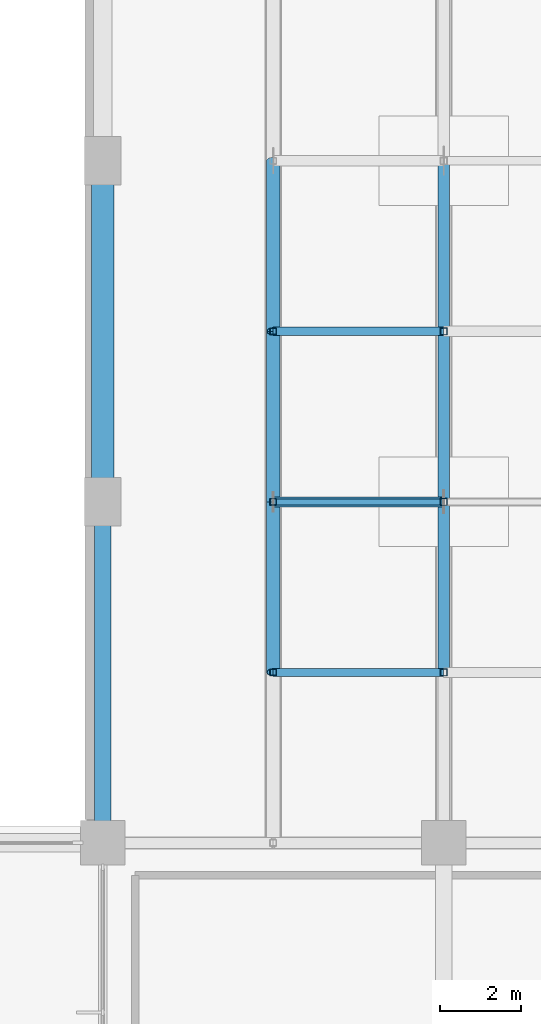
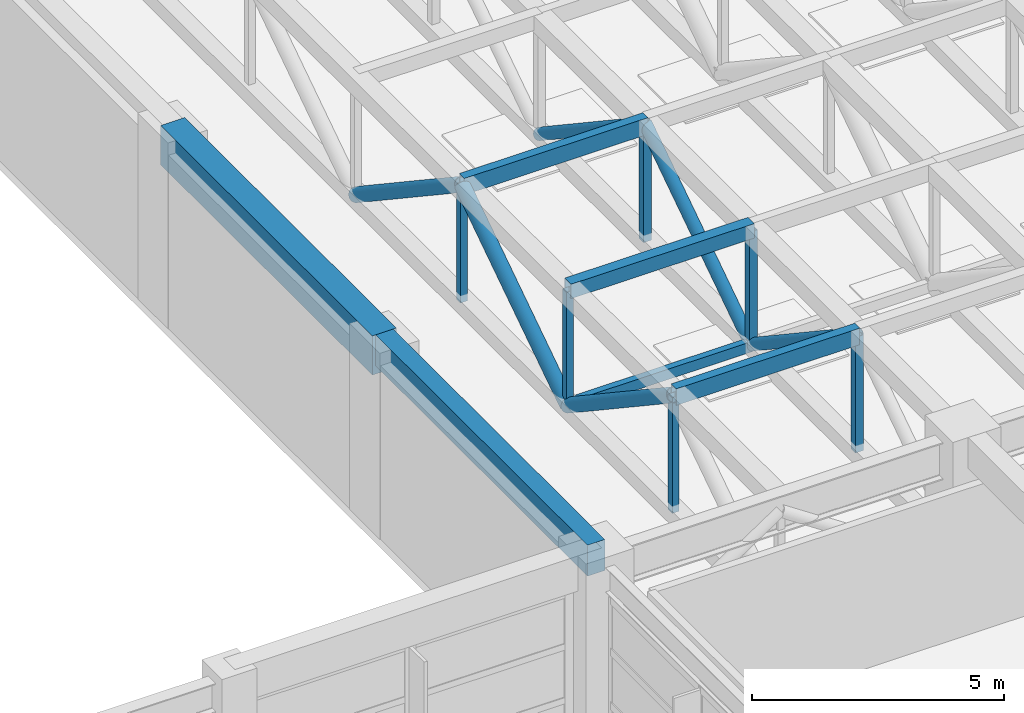
# One storey, part 11 of 47: 16 members, 2 beams.
"""IFC4 building model written with IfcOpenShell, lengths in metres."""

from ifc_helpers import new_model, si_unit, direction, frame, origin, origin_2d, place, context, subcontext, project, spatial, rectangle, hollow_rectangle, hollow_circle, extrude, material, material_profile, profile_set, type_object, element, save


model = new_model("IFC4")

# Units and contexts
model_context = context("Model", 3, precision=1e-05, world=origin(), true_north=direction((0.0, 1.0)))
body_context = subcontext(model_context, "Body", "Model", "MODEL_VIEW")
ifc_project = project(units=[si_unit("LENGTHUNIT", "METRE"), si_unit("AREAUNIT", "SQUARE_METRE"), si_unit("VOLUMEUNIT", "CUBIC_METRE"), si_unit("PLANEANGLEUNIT", "RADIAN"), si_unit("MASSUNIT", "GRAM", prefix="KILO")], contexts=[model_context])

# Site, building, storey
site_placement = place(None, origin())
site = spatial("IfcSite", under=ifc_project, at=site_placement, CompositionType="ELEMENT")
building_placement = place(site_placement, origin())
building = spatial("IfcBuilding", under=site, at=building_placement, Name="Xuanlan Plaza Opera House", CompositionType="ELEMENT")
storey_placement = place(building_placement, frame((0.0, 0.0, 23.39990234375)))
storey = spatial("IfcBuildingStorey", under=building, at=storey_placement, Name="L05", CompositionType="ELEMENT", Elevation=23.39990234375)

# Beams
ifc_material_1 = material(Name="Concrete C50", Category="concrete")
ifc_material_profile_1 = material_profile(ifc_material_1, rectangle(XDim=0.550048828125, YDim=0.949951171875, at=origin_2d()), Name="RC-BM 550x950")
ifc_profile_set_1 = profile_set([ifc_material_profile_1], Name="Concrete C50")
beam_type_1 = type_object("IfcBeamType", Name="STR-BM-B-02", PredefinedType="BEAM", material=ifc_profile_set_1)
beam_1_placement = place(storey_placement, frame((67.199951171875, 50.39990234375, 4.025146484375), z_axis=(0.0, 1.0, 0.0), x_axis=(-1.0, 0.0, 0.0)))
element("IfcBeam", 1, at=beam_1_placement, inside=storey, type_object=beam_type_1, Name="Grid Beam Y L05 9/G-H", PredefinedType="BEAM", context=body_context, shape_type="SweptSolid", body=[
    extrude(rectangle(XDim=0.550048828125, YDim=0.949951171875, at=origin_2d()), origin(), (0.0, 0.0, 1.0), 8.400146484375),
])
ifc_material_2 = material(Name="Concrete C40", Category="concrete")
ifc_material_profile_2 = material_profile(ifc_material_2, rectangle(XDim=0.39990234375, YDim=0.75, at=origin_2d()), Name="RC-BM 400x750")
ifc_profile_set_2 = profile_set([ifc_material_profile_2], Name="Concrete C40")
beam_type_2 = type_object("IfcBeamType", Name="STR-BM-B-06", PredefinedType="BEAM", material=ifc_profile_set_2)
beam_2_placement = place(storey_placement, frame((67.199951171875, 42.0, 4.125), z_axis=(0.0, 1.0, 0.0), x_axis=(-1.0, 0.0, 0.0)))
element("IfcBeam", 2, at=beam_2_placement, inside=storey, type_object=beam_type_2, Name="Grid Beam Y L05 9/F-G", PredefinedType="BEAM", context=body_context, shape_type="SweptSolid", body=[
    extrude(rectangle(XDim=0.39990234375, YDim=0.75, at=origin_2d()), origin(), (0.0, 0.0, 1.0), 8.39990234375),
])

# Members
ifc_material_3 = material(Name="Steel Q355B", Category="steel")
ifc_material_profile_3 = material_profile(ifc_material_3, hollow_circle(Radius=0.161865234375, WallThickness=0.013916015625, at=origin_2d()), Name="CHS 323.9x14")
ifc_profile_set_3 = profile_set([ifc_material_profile_3], Name="Steel Q355B")
member_type_1 = type_object("IfcMemberType", Name="STR-MEM-BR-03", PredefinedType="BRACE", material=ifc_profile_set_3)
for number, where, z_axis, x_axis, name in (
    (3, (71.39990234375, 46.199951171875, 4.05908203125), (0.0, 0.832042853317, -0.554711357594), (-1.0, 0.0, 0.0), "Auditorium Roof Truss AUD-01 Web Diagonal 2"),
    (4, (71.39990234375, 50.39990234375, 1.259033203125), (0.0, 0.832057734909, 0.554689035206), (-1.0, 0.0, 0.0), "Auditorium Roof Truss AUD-01 Web Diagonal 3"),
    (5, (71.39990234375, 54.60009765625, 4.05908203125), (0.0, 0.832042853317, -0.554711357594), (-1.0, 0.0, 0.0), "Auditorium Roof Truss AUD-01 Web Diagonal 4"),
):
    element("IfcMember", number, at=place(storey_placement, frame(where, z_axis=z_axis, x_axis=x_axis)), inside=storey, type_object=member_type_1, Name=name, PredefinedType="BRACE", context=body_context, shape_type="SweptSolid", body=[
        extrude(hollow_circle(Radius=0.161865234375, WallThickness=0.013916015625, at=origin_2d()), origin(), (0.0, 0.0, 1.0), 5.0478515625),
    ])
ifc_material_profile_4 = material_profile(ifc_material_3, hollow_circle(Radius=0.136474609375, WallThickness=0.011962890625, at=origin_2d()), Name="CHS 273x12")
ifc_profile_set_4 = profile_set([ifc_material_profile_4], Name="Steel Q355B")
member_type_2 = type_object("IfcMemberType", Name="STR-MEM-BR-04", PredefinedType="BRACE", material=ifc_profile_set_4)
for number, where, z_axis, x_axis, name in (
    (6, (75.60009765625, 46.199951171875, 4.05908203125), (0.0, 0.832042853317, -0.554711357594), (-1.0, 0.0, 0.0), "Auditorium Roof Truss AUD-02 Web Diagonal 2"),
    (7, (75.60009765625, 50.39990234375, 1.259033203125), (0.0, 0.832057734909, 0.554689035206), (-1.0, 0.0, 0.0), "Auditorium Roof Truss AUD-02 Web Diagonal 3"),
    (8, (75.60009765625, 54.60009765625, 4.05908203125), (0.0, 0.832042853317, -0.554711357594), (-1.0, 0.0, 0.0), "Auditorium Roof Truss AUD-02 Web Diagonal 4"),
):
    element("IfcMember", number, at=place(storey_placement, frame(where, z_axis=z_axis, x_axis=x_axis)), inside=storey, type_object=member_type_2, Name=name, PredefinedType="BRACE", context=body_context, shape_type="SweptSolid", body=[
        extrude(hollow_circle(Radius=0.136474609375, WallThickness=0.011962890625, at=origin_2d()), origin(), (0.0, 0.0, 1.0), 5.0478515625),
    ])
ifc_material_profile_5 = material_profile(ifc_material_3, hollow_rectangle(XDim=0.14990234375, YDim=0.25, WallThickness=0.010009765625, at=origin_2d()), Name="RHS 250x150x10")
ifc_profile_set_5 = profile_set([ifc_material_profile_5], Name="Steel Q355B")
member_type_3 = type_object("IfcMemberType", Name="STR-MEM-CL-M2", PredefinedType="COLLAR", material=ifc_profile_set_5)
member_1_placement = place(storey_placement, frame((71.39990234375, 50.39990234375, 1.259033203125), z_axis=(1.0, 0.0, 0.0), x_axis=(0.0, 1.0, 0.0)))
element("IfcMember", 9, at=member_1_placement, inside=storey, type_object=member_type_3, Name="Auditorium Truss Bottom Tie 1-3", PredefinedType="COLLAR", context=body_context, shape_type="SweptSolid", body=[
    extrude(hollow_rectangle(XDim=0.14990234375, YDim=0.25, WallThickness=0.010009765625, at=origin_2d()), origin(), (0.0, 0.0, 1.0), 4.2001953125),
])
ifc_material_profile_6 = material_profile(ifc_material_3, hollow_rectangle(XDim=0.25, YDim=0.35009765625, WallThickness=0.011962890625, at=origin_2d()), Name="RHS 350x250x12")
ifc_profile_set_6 = profile_set([ifc_material_profile_6], Name="Steel Q355B")
member_type_4 = type_object("IfcMemberType", Name="STR-MEM-PR-03", PredefinedType="PURLIN", material=ifc_profile_set_6)
member_2_placement = place(storey_placement, frame((71.39990234375, 50.39990234375, 4.083984375), z_axis=(1.0, 0.0, 0.0), x_axis=(0.0, 1.0, 0.0)))
element("IfcMember", 10, at=member_2_placement, inside=storey, type_object=member_type_4, Name="Auditorium Shell Roof Purlin 1-3", PredefinedType="PURLIN", context=body_context, shape_type="SweptSolid", body=[
    extrude(hollow_rectangle(XDim=0.25, YDim=0.35009765625, WallThickness=0.011962890625, at=origin_2d()), origin(), (0.0, 0.0, 1.0), 4.2001953125),
])
ifc_material_profile_7 = material_profile(ifc_material_3, hollow_rectangle(XDim=0.199951171875, YDim=0.39990234375, WallThickness=0.013916015625, at=origin_2d()), Name="RHS 400x200x14")
ifc_profile_set_7 = profile_set([ifc_material_profile_7], Name="Steel Q355B")
member_type_5 = type_object("IfcMemberType", Name="STR-MEM-PR-04", PredefinedType="PURLIN", material=ifc_profile_set_7)
for number, where, z_axis, x_axis, name in (
    (11, (71.39990234375, 46.199951171875, 4.05908203125), (1.0, 0.0, 0.0), (0.0, 1.0, 0.0), "Auditorium Shell Roof Purlin 1-2"),
    (12, (71.39990234375, 54.60009765625, 4.05908203125), (1.0, 0.0, 0.0), (0.0, 1.0, 0.0), "Auditorium Shell Roof Purlin 1-4"),
):
    element("IfcMember", number, at=place(storey_placement, frame(where, z_axis=z_axis, x_axis=x_axis)), inside=storey, type_object=member_type_5, Name=name, PredefinedType="PURLIN", context=body_context, shape_type="SweptSolid", body=[
        extrude(hollow_rectangle(XDim=0.199951171875, YDim=0.39990234375, WallThickness=0.013916015625, at=origin_2d()), origin(), (0.0, 0.0, 1.0), 4.2001953125),
    ])
ifc_material_profile_8 = material_profile(ifc_material_3, hollow_rectangle(XDim=0.179931640625, YDim=0.179931640625, WallThickness=0.010009765625, at=origin_2d()), Name="SHS 180x180x10")
ifc_profile_set_8 = profile_set([ifc_material_profile_8], Name="Steel Q355B")
member_type_6 = type_object("IfcMemberType", Name="STR-MEM-ST-M2", PredefinedType="STRUT", material=ifc_profile_set_8)
for number, where, z_axis, x_axis, name in (
    (13, (75.60009765625, 46.199951171875, 1.259033203125), (0.0, 0.0, 1.0), (1.0, 0.0, 0.0), "Auditorium Roof Truss AUD-02 Vertical Strut 1"),
    (14, (75.60009765625, 50.39990234375, 1.259033203125), (0.0, 0.0, 1.0), (1.0, 0.0, 0.0), "Auditorium Roof Truss AUD-02 Vertical Strut 2"),
    (15, (75.60009765625, 54.60009765625, 1.259033203125), (0.0, 0.0, 1.0), (1.0, 0.0, 0.0), "Auditorium Roof Truss AUD-02 Vertical Strut 3"),
):
    element("IfcMember", number, at=place(storey_placement, frame(where, z_axis=z_axis, x_axis=x_axis)), inside=storey, type_object=member_type_6, Name=name, PredefinedType="STRUT", context=body_context, shape_type="SweptSolid", body=[
        extrude(hollow_rectangle(XDim=0.179931640625, YDim=0.179931640625, WallThickness=0.010009765625, at=origin_2d()), origin(), (0.0, 0.0, 1.0), 2.800048828125),
    ])
ifc_material_profile_9 = material_profile(ifc_material_3, hollow_rectangle(XDim=0.159912109375, YDim=0.159912109375, WallThickness=0.008056640625, at=origin_2d()), Name="SHS 160x160x8")
ifc_profile_set_9 = profile_set([ifc_material_profile_9], Name="Steel Q355B")
member_type_7 = type_object("IfcMemberType", Name="STR-MEM-ST-M3", PredefinedType="STRUT", material=ifc_profile_set_9)
for number, where, z_axis, x_axis, name in (
    (16, (71.39990234375, 46.199951171875, 1.259033203125), (0.0, 0.0, 1.0), (1.0, 0.0, 0.0), "Auditorium Roof Truss AUD-01 Vertical Strut 1"),
    (17, (71.39990234375, 50.39990234375, 1.259033203125), (0.0, 0.0, 1.0), (1.0, 0.0, 0.0), "Auditorium Roof Truss AUD-01 Vertical Strut 2"),
    (18, (71.39990234375, 54.60009765625, 1.259033203125), (0.0, 0.0, 1.0), (1.0, 0.0, 0.0), "Auditorium Roof Truss AUD-01 Vertical Strut 3"),
):
    element("IfcMember", number, at=place(storey_placement, frame(where, z_axis=z_axis, x_axis=x_axis)), inside=storey, type_object=member_type_7, Name=name, PredefinedType="STRUT", context=body_context, shape_type="SweptSolid", body=[
        extrude(hollow_rectangle(XDim=0.159912109375, YDim=0.159912109375, WallThickness=0.008056640625, at=origin_2d()), origin(), (0.0, 0.0, 1.0), 2.800048828125),
    ])

save(model, "model.ifc")
